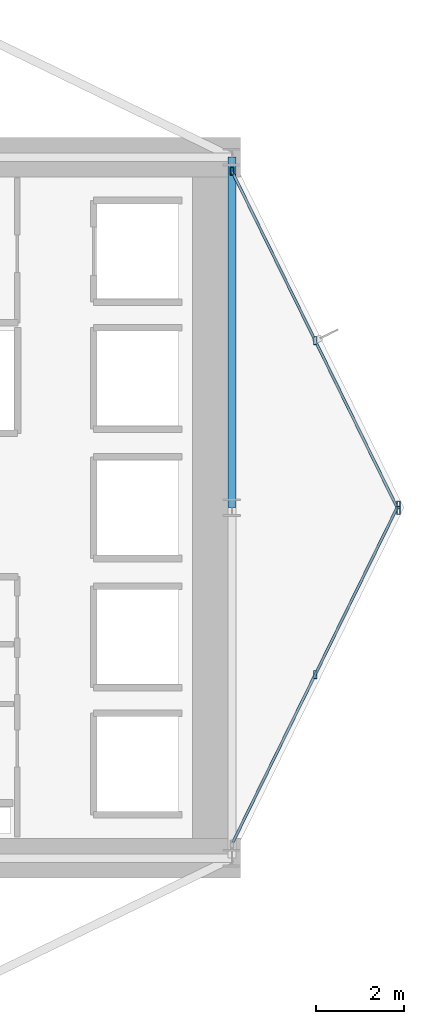
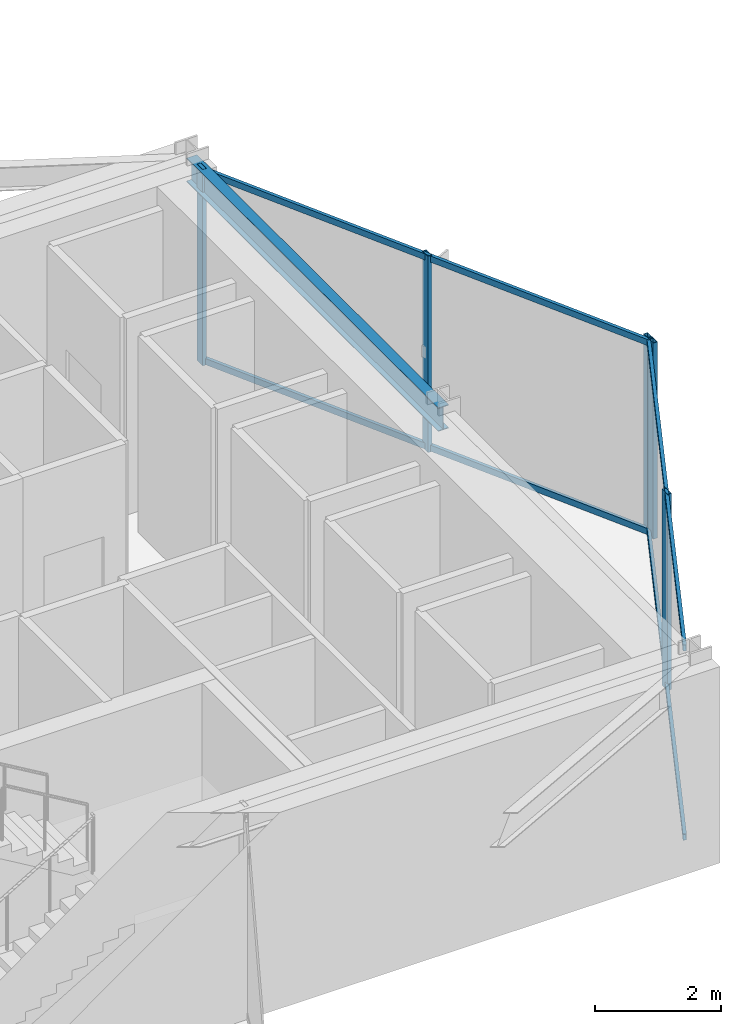
# One storey, part 19 of 30: 9 members, 1 beam, 2 elements without a shape of their own.
"""IFC4 building model written with IfcOpenShell, lengths in metres."""

from ifc_helpers import new_model, si_unit, direction, frame, origin, origin_2d, place, context, subcontext, project, spatial, hollow_rectangle, i_section, extrude, material, layer, layer_set, material_profile, profile_set, type_object, element, aggregate, save


model = new_model("IFC4")

# Units and contexts
model_context = context("Model", 3, precision=1e-05, world=origin(), true_north=direction((0.0, 1.0)))
body_context = subcontext(model_context, "Body", "Model", "MODEL_VIEW")
ifc_project = project(units=[si_unit("LENGTHUNIT", "METRE"), si_unit("AREAUNIT", "SQUARE_METRE"), si_unit("VOLUMEUNIT", "CUBIC_METRE"), si_unit("PLANEANGLEUNIT", "RADIAN"), si_unit("MASSUNIT", "GRAM", prefix="KILO")], contexts=[model_context])

# Site, building, storey
site_placement = place(None, origin())
site = spatial("IfcSite", under=ifc_project, at=site_placement, CompositionType="ELEMENT")
building_placement = place(site_placement, origin())
building = spatial("IfcBuilding", under=site, at=building_placement, Name="Veymaron Broadcast Tower", CompositionType="ELEMENT")
storey_placement = place(building_placement, frame((0.0, 0.0, 66.14990234375)))
storey = spatial("IfcBuildingStorey", under=building, at=storey_placement, Name="L14", CompositionType="ELEMENT", Elevation=66.14990234375)

# Beam
ifc_material_1 = material(Name="Structural steel ASTM A992 Gr 50", Category="steel")
ifc_material_profile_1 = material_profile(ifc_material_1, i_section(OverallWidth=0.19091796875, OverallDepth=0.4599609375, WebThickness=0.010009765625, FlangeThickness=0.01611328125, at=origin_2d()), Name="W460X82")
ifc_profile_set_1 = profile_set([ifc_material_profile_1], Name="Structural steel ASTM A992 Gr 50")
beam_type = type_object("IfcBeamType", Name="BM-SP1", PredefinedType="SPANDREL", material=ifc_profile_set_1)
beam_placement = place(storey_placement, frame((54.60009765625, 24.0, 3.580078125), z_axis=(0.0, 1.0, 0.0), x_axis=(-1.0, 0.0, 0.0)))
element("IfcBeam", 1, at=beam_placement, inside=storey, type_object=beam_type, Name="L14 primary structural floor girder", PredefinedType="SPANDREL", context=body_context, shape_type="SweptSolid", body=[
    extrude(i_section(OverallWidth=0.19091796875, OverallDepth=0.4599609375, WebThickness=0.010009765625, FlangeThickness=0.01611328125, at=origin_2d()), origin(), (0.0, 0.0, 1.0), 8.0),
])

# Curtain wall, members
ifc_material_2 = material(Name="Anodised aluminium AA 6063-T6 and laminated low-E dark glass", Category="aluminium")
ifc_layer = layer(ifc_material_2, 0.179931640625)
ifc_layer_set = layer_set([ifc_layer], Name="Anodised aluminium AA 6063-T6 and laminated low-E dark glass")
curtain_wall_type = type_object("IfcCurtainWallType", Name="CW-SYS-02", PredefinedType="NOTDEFINED", material=ifc_layer_set)
curtain_wall_1_placement = place(storey_placement, origin())
curtain_wall_1 = element("IfcCurtainWall", 2, at=curtain_wall_1_placement, inside=storey, type_object=curtain_wall_type, Name="L14 dark-glass curtain wall CW-L14-E2-1", PredefinedType="NOTDEFINED")
ifc_material_3 = material(Name="Anodised aluminium AA 6063-T6", Category="aluminium")
ifc_material_profile_2 = material_profile(ifc_material_3, hollow_rectangle(XDim=0.074951171875, YDim=0.179931640625, WallThickness=0.0048828125, at=origin_2d()), Name="AL180X75X5")
ifc_profile_set_2 = profile_set([ifc_material_profile_2], Name="Anodised aluminium AA 6063-T6")
member_type_1 = type_object("IfcMemberType", Name="CW-MUL-02", PredefinedType="MULLION", material=ifc_profile_set_2)
member_1_placement = place(storey_placement, frame((56.500732421875, 20.189697265625, 0.0), z_axis=(0.0, 0.0, 1.0), x_axis=(1.0, 0.0, 0.0)))
member_1 = element("IfcMember", 3, at=member_1_placement, type_object=member_type_1, Name="CW-L14-E2-1 mullion 1", PredefinedType="MULLION", context=body_context, shape_type="SweptSolid", body=[
    extrude(hollow_rectangle(XDim=0.074951171875, YDim=0.179931640625, WallThickness=0.0048828125, at=origin_2d()), origin(), (0.0, 0.0, 1.0), 3.81005859375),
])
member_2_placement = place(storey_placement, frame((58.4013671875, 24.061767578125, 0.0), z_axis=(0.0, 0.0, 1.0), x_axis=(1.0, 0.0, 0.0)))
member_2 = element("IfcMember", 4, at=member_2_placement, type_object=member_type_1, Name="CW-L14-E2-1 mullion 2", PredefinedType="MULLION", context=body_context, shape_type="SweptSolid", body=[
    extrude(hollow_rectangle(XDim=0.074951171875, YDim=0.179931640625, WallThickness=0.0048828125, at=origin_2d()), origin(), (0.0, 0.0, 1.0), 3.81005859375),
])

curtain_wall_2_placement = place(storey_placement, origin())
curtain_wall_2 = element("IfcCurtainWall", 5, at=curtain_wall_2_placement, inside=storey, type_object=curtain_wall_type, Name="L14 dark-glass curtain wall CW-L14-E3-1", PredefinedType="NOTDEFINED")
member_3_placement = place(storey_placement, frame((58.4013671875, 23.938232421875, 0.0), z_axis=(0.0, 0.0, 1.0), x_axis=(1.0, 0.0, 0.0)))
member_3 = element("IfcMember", 6, at=member_3_placement, type_object=member_type_1, Name="CW-L14-E3-1 mullion 0", PredefinedType="MULLION", context=body_context, shape_type="SweptSolid", body=[
    extrude(hollow_rectangle(XDim=0.074951171875, YDim=0.179931640625, WallThickness=0.0048828125, at=origin_2d()), origin(), (0.0, 0.0, 1.0), 3.81005859375),
])
member_4_placement = place(storey_placement, frame((56.500732421875, 27.810302734375, 0.0), z_axis=(0.0, 0.0, 1.0), x_axis=(1.0, 0.0, 0.0)))
member_4 = element("IfcMember", 7, at=member_4_placement, type_object=member_type_1, Name="CW-L14-E3-1 mullion 1", PredefinedType="MULLION", context=body_context, shape_type="SweptSolid", body=[
    extrude(hollow_rectangle(XDim=0.074951171875, YDim=0.179931640625, WallThickness=0.0048828125, at=origin_2d()), origin(), (0.0, 0.0, 1.0), 3.81005859375),
])
member_5_placement = place(storey_placement, frame((54.60009765625, 31.68212890625, 0.0), z_axis=(0.0, 0.0, 1.0), x_axis=(1.0, 0.0, 0.0)))
member_5 = element("IfcMember", 8, at=member_5_placement, type_object=member_type_1, Name="CW-L14-E3-1 mullion 2", PredefinedType="MULLION", context=body_context, shape_type="SweptSolid", body=[
    extrude(hollow_rectangle(XDim=0.074951171875, YDim=0.179931640625, WallThickness=0.0048828125, at=origin_2d()), origin(), (0.0, 0.0, 1.0), 3.81005859375),
])

# Member
ifc_material_profile_3 = material_profile(ifc_material_3, hollow_rectangle(XDim=0.06005859375, YDim=0.1201171875, WallThickness=0.00390625, at=origin_2d()), Name="AL120X60X4")
ifc_profile_set_3 = profile_set([ifc_material_profile_3], Name="Anodised aluminium AA 6063-T6")
member_type_2 = type_object("IfcMemberType", Name="CW-TRN-02", PredefinedType="USERDEFINED", material=ifc_profile_set_3)
member_6_placement = place(storey_placement, frame((54.6220703125, 16.36279296875, 0.070068359375), z_axis=(0.440661864018, 0.897673170814, 0.0), x_axis=(-0.897673170814, 0.440661864018, 0.0)))
member_6 = element("IfcMember", 9, at=member_6_placement, type_object=member_type_2, Name="CW-L14-E2-1 transom B", ObjectType="TRANSOM", PredefinedType="USERDEFINED", context=body_context, shape_type="SweptSolid", body=[
    extrude(hollow_rectangle(XDim=0.06005859375, YDim=0.1201171875, WallThickness=0.00390625, at=origin_2d()), origin(), (0.0, 0.0, 1.0), 8.526611328125),
])

member_7_placement = place(storey_placement, frame((54.6220703125, 16.36279296875, 3.739990234375), z_axis=(0.440661864018, 0.897673170814, 0.0), x_axis=(-0.897673170814, 0.440661864018, 0.0)))
member_7 = element("IfcMember", 10, at=member_7_placement, type_object=member_type_2, Name="CW-L14-E2-1 transom T", ObjectType="TRANSOM", PredefinedType="USERDEFINED", context=body_context, shape_type="SweptSolid", body=[
    extrude(hollow_rectangle(XDim=0.06005859375, YDim=0.1201171875, WallThickness=0.00390625, at=origin_2d()), origin(), (0.0, 0.0, 1.0), 8.526611328125),
])

aggregate(curtain_wall_1, [member_1, member_2, member_6, member_7])

member_8_placement = place(storey_placement, frame((58.37939453125, 23.983154296875, 0.070068359375), z_axis=(-0.440661864018, 0.897673170814, 0.0), x_axis=(-0.897673170814, -0.440661864018, 0.0)))
member_8 = element("IfcMember", 11, at=member_8_placement, type_object=member_type_2, Name="CW-L14-E3-1 transom B", ObjectType="TRANSOM", PredefinedType="USERDEFINED", context=body_context, shape_type="SweptSolid", body=[
    extrude(hollow_rectangle(XDim=0.06005859375, YDim=0.1201171875, WallThickness=0.00390625, at=origin_2d()), origin(), (0.0, 0.0, 1.0), 8.526611328125),
])

member_9_placement = place(storey_placement, frame((58.37939453125, 23.983154296875, 3.739990234375), z_axis=(-0.440661864018, 0.897673170814, 0.0), x_axis=(-0.897673170814, -0.440661864018, 0.0)))
member_9 = element("IfcMember", 12, at=member_9_placement, type_object=member_type_2, Name="CW-L14-E3-1 transom T", ObjectType="TRANSOM", PredefinedType="USERDEFINED", context=body_context, shape_type="SweptSolid", body=[
    extrude(hollow_rectangle(XDim=0.06005859375, YDim=0.1201171875, WallThickness=0.00390625, at=origin_2d()), origin(), (0.0, 0.0, 1.0), 8.526611328125),
])

aggregate(curtain_wall_2, [member_3, member_4, member_5, member_8, member_9])

save(model, "model.ifc")
